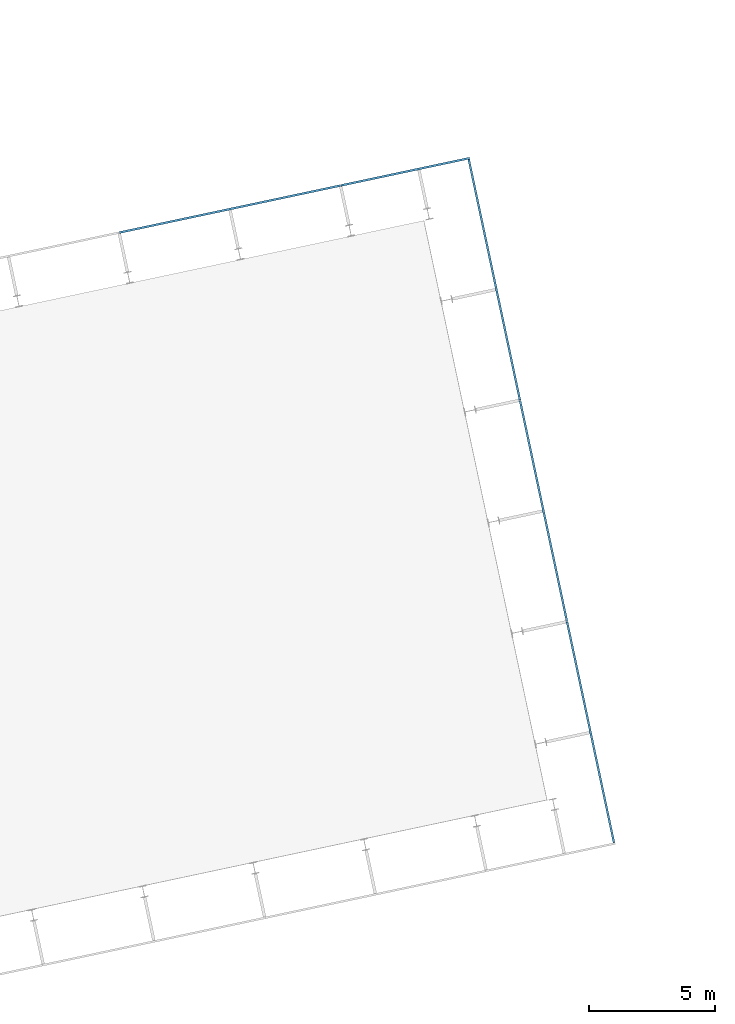
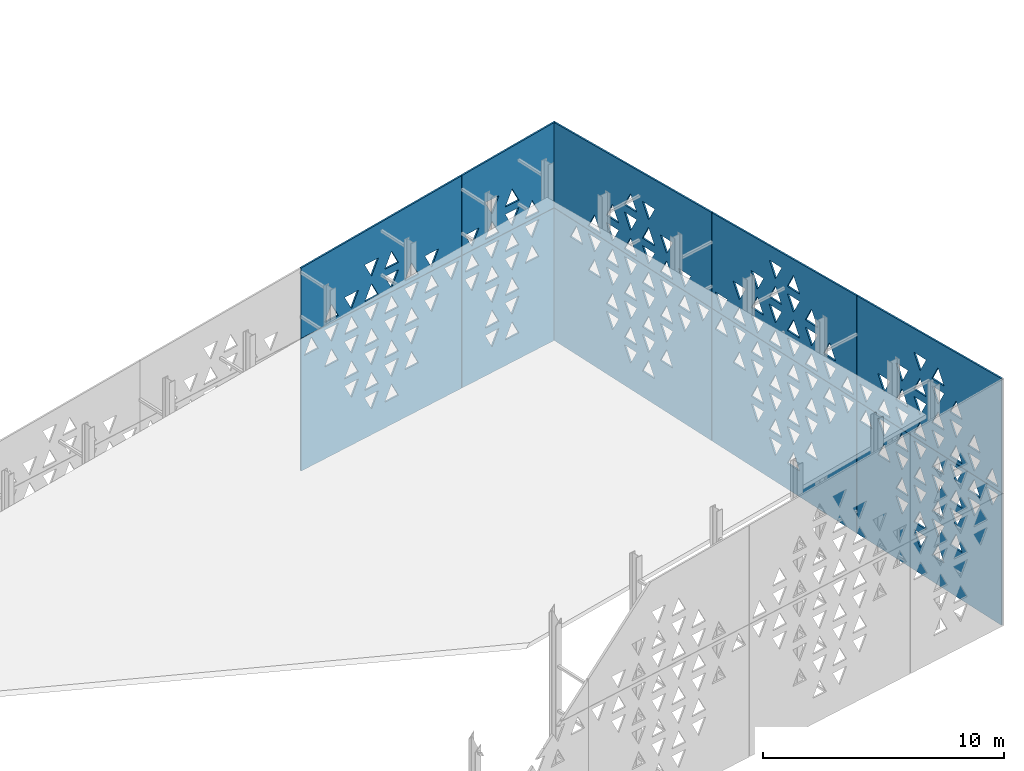
# One storey, part 28 of 41: 10 plates.
"""IFC4 building model written with IfcOpenShell, lengths in metres."""

from ifc_helpers import new_model, si_unit, direction, frame, origin, place, context, subcontext, project, spatial, polyline, outline, extrude, material, layer, layer_set, type_object, element, save


model = new_model("IFC4")

# Units and contexts
model_context = context("Model", 3, precision=1e-05, world=origin(), true_north=direction((0.0, 1.0)))
body_context = subcontext(model_context, "Body", "Model", "MODEL_VIEW")
ifc_project = project(units=[si_unit("LENGTHUNIT", "METRE"), si_unit("AREAUNIT", "SQUARE_METRE"), si_unit("VOLUMEUNIT", "CUBIC_METRE"), si_unit("PLANEANGLEUNIT", "RADIAN"), si_unit("MASSUNIT", "GRAM", prefix="KILO")], contexts=[model_context])

# Site, building, storey
site_placement = place(None, origin())
site = spatial("IfcSite", under=ifc_project, at=site_placement, CompositionType="ELEMENT")
building_placement = place(site_placement, origin())
building = spatial("IfcBuilding", under=site, at=building_placement, Name="Okhra Congress Centre", CompositionType="ELEMENT")
storey_placement = place(building_placement, frame((0.0, 0.0, 21.60009765625)))
storey = spatial("IfcBuildingStorey", under=building, at=storey_placement, Name="ROOF", CompositionType="ELEMENT", Elevation=21.60009765625)

# Plates
ifc_material = material(Name="Fired clay terracotta rainscreen panel, deep oxide-red glaze, non-combustible", Category="masonry")
ifc_layer_1 = layer(ifc_material, 0.080078125)
ifc_layer_set_1 = layer_set([ifc_layer_1], Name="Terracotta screen panel 5230 sloped top")
plate_type_1 = type_object("IfcPlateType", Name="Terracotta screen panel 5230 sloped top", PredefinedType="SHEET", material=ifc_layer_set_1)
plate_1_placement = place(storey_placement, frame((214.825439453125, 85.905517578125, 6.949951171875), z_axis=(0.0, 0.0, 1.0), x_axis=(-0.978146748157, -0.207915701837, 0.0)))
element("IfcPlate", 1, at=plate_1_placement, inside=storey, type_object=plate_type_1, Name="Screen panel N1 Parapet", PredefinedType="SHEET", context=body_context, shape_type="SweptSolid", body=[
    extrude(outline(polyline([(0.0, 0.0), (5.22998046875, 0.0), (5.22998046875, 4.044189453125), (0.0, 4.323974609375), (0.0, 0.0)]), holes=[polyline([(0.926513671875, 0.183837890625), (1.693603515625, 0.183837890625), (1.31005859375, 0.93603515625), (0.926513671875, 0.183837890625)]), polyline([(2.04638671875, 0.93603515625), (2.429931640625, 0.183837890625), (2.8134765625, 0.93603515625), (2.04638671875, 0.93603515625)]), polyline([(3.16650390625, 0.183837890625), (3.93359375, 0.183837890625), (3.550048828125, 0.93603515625), (3.16650390625, 0.183837890625)]), polyline([(4.286376953125, 0.93603515625), (4.669921875, 0.183837890625), (5.0537109375, 0.93603515625), (4.286376953125, 0.93603515625)]), polyline([(2.04638671875, 1.303955078125), (2.8134765625, 1.303955078125), (2.429931640625, 2.05615234375), (2.04638671875, 1.303955078125)]), polyline([(3.16650390625, 2.05615234375), (3.550048828125, 1.303955078125), (3.93359375, 2.05615234375), (3.16650390625, 2.05615234375)])]), frame((0.0, 0.0400390625, 0.0), z_axis=(0.0, -1.0, 0.0), x_axis=(1.0, 0.0, 0.0)), (0.0, 0.0, 1.0), 0.080078125),
])
ifc_layer_2 = layer(ifc_material, 0.080078125)
ifc_layer_set_2 = layer_set([ifc_layer_2], Name="Terracotta screen panel 5230x6720")
plate_type_2 = type_object("IfcPlateType", Name="Terracotta screen panel 5230x6720", PredefinedType="SHEET", material=ifc_layer_set_2)
plate_2_placement = place(storey_placement, frame((214.825439453125, 85.905517578125, 0.2099609375), z_axis=(0.0, 0.0, 1.0), x_axis=(-0.978146748157, -0.207915701837, 0.0)))
element("IfcPlate", 2, at=plate_2_placement, inside=storey, type_object=plate_type_2, Name="Screen panel N1 Tier 3", PredefinedType="SHEET", context=body_context, shape_type="SweptSolid", body=[
    extrude(outline(polyline([(0.0, 0.0), (5.22998046875, 0.0), (5.22998046875, 6.719970703125), (0.0, 6.719970703125), (0.0, 0.0)]), holes=[polyline([(2.04638671875, 1.303955078125), (2.8134765625, 1.303955078125), (2.429931640625, 2.05615234375), (2.04638671875, 1.303955078125)]), polyline([(3.16650390625, 2.05615234375), (3.550048828125, 1.303955078125), (3.93359375, 2.05615234375), (3.16650390625, 2.05615234375)]), polyline([(2.04638671875, 3.176025390625), (2.429931640625, 2.423828125), (2.8134765625, 3.176025390625), (2.04638671875, 3.176025390625)]), polyline([(3.16650390625, 2.423828125), (3.93359375, 2.423828125), (3.550048828125, 3.176025390625), (3.16650390625, 2.423828125)]), polyline([(2.04638671875, 3.5439453125), (2.8134765625, 3.5439453125), (2.429931640625, 4.296142578125), (2.04638671875, 3.5439453125)]), polyline([(3.16650390625, 4.296142578125), (3.550048828125, 3.5439453125), (3.93359375, 4.296142578125), (3.16650390625, 4.296142578125)]), polyline([(0.926513671875, 4.663818359375), (1.693603515625, 4.663818359375), (1.31005859375, 5.416015625), (0.926513671875, 4.663818359375)]), polyline([(2.04638671875, 5.416015625), (2.429931640625, 4.663818359375), (2.8134765625, 5.416015625), (2.04638671875, 5.416015625)]), polyline([(3.16650390625, 4.663818359375), (3.93359375, 4.663818359375), (3.550048828125, 5.416015625), (3.16650390625, 4.663818359375)]), polyline([(4.286376953125, 5.416015625), (4.669921875, 4.663818359375), (5.0537109375, 5.416015625), (4.286376953125, 5.416015625)]), polyline([(0.926513671875, 6.5361328125), (1.31005859375, 5.783935546875), (1.693603515625, 6.5361328125), (0.926513671875, 6.5361328125)]), polyline([(2.04638671875, 5.783935546875), (2.8134765625, 5.783935546875), (2.429931640625, 6.5361328125), (2.04638671875, 5.783935546875)]), polyline([(3.16650390625, 6.5361328125), (3.550048828125, 5.783935546875), (3.93359375, 6.5361328125), (3.16650390625, 6.5361328125)]), polyline([(4.286376953125, 5.783935546875), (5.0537109375, 5.783935546875), (4.669921875, 6.5361328125), (4.286376953125, 5.783935546875)])]), frame((0.0, 0.0400390625, 0.0), z_axis=(0.0, -1.0, 0.0), x_axis=(1.0, 0.0, 0.0)), (0.0, 0.0, 1.0), 0.080078125),
])
ifc_layer_3 = layer(ifc_material, 0.080078125)
ifc_layer_set_3 = layer_set([ifc_layer_3], Name="Terracotta screen panel 8970 sloped top")
plate_type_3 = type_object("IfcPlateType", Name="Terracotta screen panel 8970 sloped top", PredefinedType="SHEET", material=ifc_layer_set_3)
plate_3_placement = place(storey_placement, frame((220.568359375, 58.69482421875, 6.949951171875), z_axis=(0.0, 0.0, 1.0), x_axis=(-0.207915396115, 0.978146813141, 0.0)))
element("IfcPlate", 3, at=plate_3_placement, inside=storey, type_object=plate_type_3, Name="Screen panel E1 Parapet", PredefinedType="SHEET", context=body_context, shape_type="SweptSolid", body=[
    extrude(outline(polyline([(0.0, 0.0), (8.969970703125, 0.0), (8.969970703125, 5.30908203125), (0.0, 5.779296875), (0.0, 0.0)]), holes=[polyline([(0.1865234375, 0.183837890625), (0.95361328125, 0.183837890625), (0.570068359375, 0.93603515625), (0.1865234375, 0.183837890625)]), polyline([(1.306396484375, 0.93603515625), (1.68994140625, 0.183837890625), (2.073486328125, 0.93603515625), (1.306396484375, 0.93603515625)]), polyline([(2.426513671875, 0.183837890625), (3.193603515625, 0.183837890625), (2.81005859375, 0.93603515625), (2.426513671875, 0.183837890625)]), polyline([(3.54638671875, 0.93603515625), (3.929931640625, 0.183837890625), (4.3134765625, 0.93603515625), (3.54638671875, 0.93603515625)]), polyline([(4.66650390625, 0.183837890625), (5.43359375, 0.183837890625), (5.050048828125, 0.93603515625), (4.66650390625, 0.183837890625)]), polyline([(5.786376953125, 0.93603515625), (6.169921875, 0.183837890625), (6.5537109375, 0.93603515625), (5.786376953125, 0.93603515625)]), polyline([(6.906494140625, 0.183837890625), (7.673583984375, 0.183837890625), (7.2900390625, 0.93603515625), (6.906494140625, 0.183837890625)]), polyline([(8.0263671875, 0.93603515625), (8.409912109375, 0.183837890625), (8.793701171875, 0.93603515625), (8.0263671875, 0.93603515625)]), polyline([(1.306396484375, 1.303955078125), (2.073486328125, 1.303955078125), (1.68994140625, 2.05615234375), (1.306396484375, 1.303955078125)]), polyline([(2.426513671875, 2.05615234375), (2.81005859375, 1.303955078125), (3.193603515625, 2.05615234375), (2.426513671875, 2.05615234375)]), polyline([(3.54638671875, 1.303955078125), (4.3134765625, 1.303955078125), (3.929931640625, 2.05615234375), (3.54638671875, 1.303955078125)]), polyline([(4.66650390625, 2.05615234375), (5.050048828125, 1.303955078125), (5.43359375, 2.05615234375), (4.66650390625, 2.05615234375)]), polyline([(5.786376953125, 1.303955078125), (6.5537109375, 1.303955078125), (6.169921875, 2.05615234375), (5.786376953125, 1.303955078125)]), polyline([(6.906494140625, 2.05615234375), (7.2900390625, 1.303955078125), (7.673583984375, 2.05615234375), (6.906494140625, 2.05615234375)]), polyline([(2.426513671875, 2.423828125), (3.193603515625, 2.423828125), (2.81005859375, 3.176025390625), (2.426513671875, 2.423828125)]), polyline([(3.54638671875, 3.176025390625), (3.929931640625, 2.423828125), (4.3134765625, 3.176025390625), (3.54638671875, 3.176025390625)]), polyline([(4.66650390625, 2.423828125), (5.43359375, 2.423828125), (5.050048828125, 3.176025390625), (4.66650390625, 2.423828125)]), polyline([(5.786376953125, 3.176025390625), (6.169921875, 2.423828125), (6.5537109375, 3.176025390625), (5.786376953125, 3.176025390625)]), polyline([(3.54638671875, 3.5439453125), (4.3134765625, 3.5439453125), (3.929931640625, 4.296142578125), (3.54638671875, 3.5439453125)]), polyline([(4.66650390625, 4.296142578125), (5.050048828125, 3.5439453125), (5.43359375, 4.296142578125), (4.66650390625, 4.296142578125)])]), frame((0.0, 0.0400390625, 0.0), z_axis=(0.0, -1.0, 0.0), x_axis=(1.0, 0.0, 0.0)), (0.0, 0.0, 1.0), 0.080078125),
])
ifc_layer_4 = layer(ifc_material, 0.080078125)
ifc_layer_set_4 = layer_set([ifc_layer_4], Name="Terracotta screen panel 8970x6720")
plate_type_4 = type_object("IfcPlateType", Name="Terracotta screen panel 8970x6720", PredefinedType="SHEET", material=ifc_layer_set_4)
plate_4_placement = place(storey_placement, frame((220.568359375, 58.69482421875, 0.2099609375), z_axis=(0.0, 0.0, 1.0), x_axis=(-0.207915396115, 0.978146813141, 0.0)))
element("IfcPlate", 4, at=plate_4_placement, inside=storey, type_object=plate_type_4, Name="Screen panel E1 Tier 3", PredefinedType="SHEET", context=body_context, shape_type="SweptSolid", body=[
    extrude(outline(polyline([(0.0, 0.0), (8.969970703125, 0.0), (8.969970703125, 6.719970703125), (0.0, 6.719970703125), (0.0, 0.0)]), holes=[polyline([(3.54638671875, 1.303955078125), (4.3134765625, 1.303955078125), (3.929931640625, 2.05615234375), (3.54638671875, 1.303955078125)]), polyline([(4.66650390625, 2.05615234375), (5.050048828125, 1.303955078125), (5.43359375, 2.05615234375), (4.66650390625, 2.05615234375)]), polyline([(2.426513671875, 2.423828125), (3.193603515625, 2.423828125), (2.81005859375, 3.176025390625), (2.426513671875, 2.423828125)]), polyline([(3.54638671875, 3.176025390625), (3.929931640625, 2.423828125), (4.3134765625, 3.176025390625), (3.54638671875, 3.176025390625)]), polyline([(4.66650390625, 2.423828125), (5.43359375, 2.423828125), (5.050048828125, 3.176025390625), (4.66650390625, 2.423828125)]), polyline([(5.786376953125, 3.176025390625), (6.169921875, 2.423828125), (6.5537109375, 3.176025390625), (5.786376953125, 3.176025390625)]), polyline([(2.426513671875, 4.296142578125), (2.81005859375, 3.5439453125), (3.193603515625, 4.296142578125), (2.426513671875, 4.296142578125)]), polyline([(3.54638671875, 3.5439453125), (4.3134765625, 3.5439453125), (3.929931640625, 4.296142578125), (3.54638671875, 3.5439453125)]), polyline([(4.66650390625, 4.296142578125), (5.050048828125, 3.5439453125), (5.43359375, 4.296142578125), (4.66650390625, 4.296142578125)]), polyline([(5.786376953125, 3.5439453125), (6.5537109375, 3.5439453125), (6.169921875, 4.296142578125), (5.786376953125, 3.5439453125)]), polyline([(1.306396484375, 5.416015625), (1.68994140625, 4.663818359375), (2.073486328125, 5.416015625), (1.306396484375, 5.416015625)]), polyline([(2.426513671875, 4.663818359375), (3.193603515625, 4.663818359375), (2.81005859375, 5.416015625), (2.426513671875, 4.663818359375)]), polyline([(3.54638671875, 5.416015625), (3.929931640625, 4.663818359375), (4.3134765625, 5.416015625), (3.54638671875, 5.416015625)]), polyline([(4.66650390625, 4.663818359375), (5.43359375, 4.663818359375), (5.050048828125, 5.416015625), (4.66650390625, 4.663818359375)]), polyline([(5.786376953125, 5.416015625), (6.169921875, 4.663818359375), (6.5537109375, 5.416015625), (5.786376953125, 5.416015625)]), polyline([(6.906494140625, 4.663818359375), (7.673583984375, 4.663818359375), (7.2900390625, 5.416015625), (6.906494140625, 4.663818359375)]), polyline([(0.1865234375, 6.5361328125), (0.570068359375, 5.783935546875), (0.95361328125, 6.5361328125), (0.1865234375, 6.5361328125)]), polyline([(1.306396484375, 5.783935546875), (2.073486328125, 5.783935546875), (1.68994140625, 6.5361328125), (1.306396484375, 5.783935546875)]), polyline([(2.426513671875, 6.5361328125), (2.81005859375, 5.783935546875), (3.193603515625, 6.5361328125), (2.426513671875, 6.5361328125)]), polyline([(3.54638671875, 5.783935546875), (4.3134765625, 5.783935546875), (3.929931640625, 6.5361328125), (3.54638671875, 5.783935546875)]), polyline([(4.66650390625, 6.5361328125), (5.050048828125, 5.783935546875), (5.43359375, 6.5361328125), (4.66650390625, 6.5361328125)]), polyline([(5.786376953125, 5.783935546875), (6.5537109375, 5.783935546875), (6.169921875, 6.5361328125), (5.786376953125, 5.783935546875)]), polyline([(6.906494140625, 6.5361328125), (7.2900390625, 5.783935546875), (7.673583984375, 6.5361328125), (6.906494140625, 6.5361328125)]), polyline([(8.0263671875, 5.783935546875), (8.793701171875, 5.783935546875), (8.409912109375, 6.5361328125), (8.0263671875, 5.783935546875)])]), frame((0.0, 0.0400390625, 0.0), z_axis=(0.0, -1.0, 0.0), x_axis=(1.0, 0.0, 0.0)), (0.0, 0.0, 1.0), 0.080078125),
])
ifc_layer_5 = layer(ifc_material, 0.080078125)
ifc_layer_set_5 = layer_set([ifc_layer_5], Name="Terracotta screen panel 8980 sloped top")
plate_type_5 = type_object("IfcPlateType", Name="Terracotta screen panel 8980 sloped top", PredefinedType="SHEET", material=ifc_layer_set_5)
plate_5_placement = place(storey_placement, frame((218.69921875, 67.48828125, 6.949951171875), z_axis=(0.0, 0.0, 1.0), x_axis=(-0.207922809819, 0.978145237251, 0.0)))
element("IfcPlate", 5, at=plate_5_placement, inside=storey, type_object=plate_type_5, Name="Screen panel E2 Parapet", PredefinedType="SHEET", context=body_context, shape_type="SweptSolid", body=[
    extrude(outline(polyline([(0.0, 0.0), (8.97998046875, 0.0), (8.97998046875, 4.83740234375), (0.0, 5.30810546875), (0.0, 0.0)]), holes=[polyline([(0.176513671875, 0.183837890625), (0.943603515625, 0.183837890625), (0.56005859375, 0.93603515625), (0.176513671875, 0.183837890625)]), polyline([(1.29638671875, 0.93603515625), (1.679931640625, 0.183837890625), (2.0634765625, 0.93603515625), (1.29638671875, 0.93603515625)]), polyline([(2.41650390625, 0.183837890625), (3.18359375, 0.183837890625), (2.800048828125, 0.93603515625), (2.41650390625, 0.183837890625)]), polyline([(3.536376953125, 0.93603515625), (3.919921875, 0.183837890625), (4.3037109375, 0.93603515625), (3.536376953125, 0.93603515625)]), polyline([(4.656494140625, 0.183837890625), (5.423583984375, 0.183837890625), (5.0400390625, 0.93603515625), (4.656494140625, 0.183837890625)]), polyline([(5.7763671875, 0.93603515625), (6.159912109375, 0.183837890625), (6.543701171875, 0.93603515625), (5.7763671875, 0.93603515625)]), polyline([(6.896484375, 0.183837890625), (7.66357421875, 0.183837890625), (7.280029296875, 0.93603515625), (6.896484375, 0.183837890625)]), polyline([(8.016357421875, 0.93603515625), (8.39990234375, 0.183837890625), (8.78369140625, 0.93603515625), (8.016357421875, 0.93603515625)]), polyline([(1.29638671875, 1.303955078125), (2.0634765625, 1.303955078125), (1.679931640625, 2.05615234375), (1.29638671875, 1.303955078125)]), polyline([(2.41650390625, 2.05615234375), (2.800048828125, 1.303955078125), (3.18359375, 2.05615234375), (2.41650390625, 2.05615234375)]), polyline([(3.536376953125, 1.303955078125), (4.3037109375, 1.303955078125), (3.919921875, 2.05615234375), (3.536376953125, 1.303955078125)]), polyline([(4.656494140625, 2.05615234375), (5.0400390625, 1.303955078125), (5.423583984375, 2.05615234375), (4.656494140625, 2.05615234375)]), polyline([(5.7763671875, 1.303955078125), (6.543701171875, 1.303955078125), (6.159912109375, 2.05615234375), (5.7763671875, 1.303955078125)]), polyline([(6.896484375, 2.05615234375), (7.280029296875, 1.303955078125), (7.66357421875, 2.05615234375), (6.896484375, 2.05615234375)]), polyline([(2.41650390625, 2.423828125), (3.18359375, 2.423828125), (2.800048828125, 3.176025390625), (2.41650390625, 2.423828125)]), polyline([(3.536376953125, 3.176025390625), (3.919921875, 2.423828125), (4.3037109375, 3.176025390625), (3.536376953125, 3.176025390625)]), polyline([(4.656494140625, 2.423828125), (5.423583984375, 2.423828125), (5.0400390625, 3.176025390625), (4.656494140625, 2.423828125)]), polyline([(5.7763671875, 3.176025390625), (6.159912109375, 2.423828125), (6.543701171875, 3.176025390625), (5.7763671875, 3.176025390625)]), polyline([(3.536376953125, 3.5439453125), (4.3037109375, 3.5439453125), (3.919921875, 4.296142578125), (3.536376953125, 3.5439453125)]), polyline([(4.656494140625, 4.296142578125), (5.0400390625, 3.5439453125), (5.423583984375, 4.296142578125), (4.656494140625, 4.296142578125)])]), frame((0.0, 0.0400390625, 0.0), z_axis=(0.0, -1.0, 0.0), x_axis=(1.0, 0.0, 0.0)), (0.0, 0.0, 1.0), 0.080078125),
])
plate_6_placement = place(storey_placement, frame((209.690185546875, 84.81396484375, 6.949951171875), z_axis=(0.0, 0.0, 1.0), x_axis=(-0.978144061878, -0.207928339131, 0.0)))
element("IfcPlate", 6, at=plate_6_placement, inside=storey, type_object=plate_type_5, Name="Screen panel N2 Parapet", PredefinedType="SHEET", context=body_context, shape_type="SweptSolid", body=[
    extrude(outline(polyline([(0.0, 0.0), (8.97998046875, 0.0), (8.97998046875, 3.5625), (0.0, 4.04296875), (0.0, 0.0)]), holes=[polyline([(1.29638671875, 0.93603515625), (1.679931640625, 0.183837890625), (2.0634765625, 0.93603515625), (1.29638671875, 0.93603515625)]), polyline([(2.41650390625, 0.183837890625), (3.18359375, 0.183837890625), (2.800048828125, 0.93603515625), (2.41650390625, 0.183837890625)]), polyline([(3.536376953125, 0.93603515625), (3.919921875, 0.183837890625), (4.3037109375, 0.93603515625), (3.536376953125, 0.93603515625)]), polyline([(4.656494140625, 0.183837890625), (5.423583984375, 0.183837890625), (5.0400390625, 0.93603515625), (4.656494140625, 0.183837890625)]), polyline([(5.7763671875, 0.93603515625), (6.159912109375, 0.183837890625), (6.543701171875, 0.93603515625), (5.7763671875, 0.93603515625)]), polyline([(6.896484375, 0.183837890625), (7.66357421875, 0.183837890625), (7.280029296875, 0.93603515625), (6.896484375, 0.183837890625)]), polyline([(3.536376953125, 1.303955078125), (4.3037109375, 1.303955078125), (3.919921875, 2.05615234375), (3.536376953125, 1.303955078125)]), polyline([(4.656494140625, 2.05615234375), (5.0400390625, 1.303955078125), (5.423583984375, 2.05615234375), (4.656494140625, 2.05615234375)])]), frame((0.0, 0.0400390625, 0.0), z_axis=(0.0, -1.0, 0.0), x_axis=(1.0, 0.0, 0.0)), (0.0, 0.0, 1.0), 0.080078125),
])
ifc_layer_6 = layer(ifc_material, 0.080078125)
ifc_layer_set_6 = layer_set([ifc_layer_6], Name="Terracotta screen panel 8980x6720")
plate_type_6 = type_object("IfcPlateType", Name="Terracotta screen panel 8980x6720", PredefinedType="SHEET", material=ifc_layer_set_6)
plate_7_placement = place(storey_placement, frame((218.69921875, 67.48828125, 0.2099609375), z_axis=(0.0, 0.0, 1.0), x_axis=(-0.207922809819, 0.978145237251, 0.0)))
element("IfcPlate", 7, at=plate_7_placement, inside=storey, type_object=plate_type_6, Name="Screen panel E2 Tier 3", PredefinedType="SHEET", context=body_context, shape_type="SweptSolid", body=[
    extrude(outline(polyline([(0.0, 0.0), (8.980224609375, 0.0), (8.980224609375, 6.719970703125), (0.0, 6.719970703125), (0.0, 0.0)]), holes=[polyline([(3.536376953125, 1.303955078125), (4.3037109375, 1.303955078125), (3.919921875, 2.05615234375), (3.536376953125, 1.303955078125)]), polyline([(4.656494140625, 2.05615234375), (5.0400390625, 1.303955078125), (5.423583984375, 2.05615234375), (4.656494140625, 2.05615234375)]), polyline([(2.41650390625, 2.423828125), (3.18359375, 2.423828125), (2.800048828125, 3.176025390625), (2.41650390625, 2.423828125)]), polyline([(3.536376953125, 3.176025390625), (3.919921875, 2.423828125), (4.3037109375, 3.176025390625), (3.536376953125, 3.176025390625)]), polyline([(4.656494140625, 2.423828125), (5.423583984375, 2.423828125), (5.0400390625, 3.176025390625), (4.656494140625, 2.423828125)]), polyline([(5.7763671875, 3.176025390625), (6.159912109375, 2.423828125), (6.543701171875, 3.176025390625), (5.7763671875, 3.176025390625)]), polyline([(2.41650390625, 4.296142578125), (2.800048828125, 3.5439453125), (3.18359375, 4.296142578125), (2.41650390625, 4.296142578125)]), polyline([(3.536376953125, 3.5439453125), (4.3037109375, 3.5439453125), (3.919921875, 4.296142578125), (3.536376953125, 3.5439453125)]), polyline([(4.656494140625, 4.296142578125), (5.0400390625, 3.5439453125), (5.423583984375, 4.296142578125), (4.656494140625, 4.296142578125)]), polyline([(5.7763671875, 3.5439453125), (6.543701171875, 3.5439453125), (6.159912109375, 4.296142578125), (5.7763671875, 3.5439453125)]), polyline([(1.29638671875, 5.416015625), (1.679931640625, 4.663818359375), (2.0634765625, 5.416015625), (1.29638671875, 5.416015625)]), polyline([(2.41650390625, 4.663818359375), (3.18359375, 4.663818359375), (2.800048828125, 5.416015625), (2.41650390625, 4.663818359375)]), polyline([(3.536376953125, 5.416015625), (3.919921875, 4.663818359375), (4.3037109375, 5.416015625), (3.536376953125, 5.416015625)]), polyline([(4.656494140625, 4.663818359375), (5.423583984375, 4.663818359375), (5.0400390625, 5.416015625), (4.656494140625, 4.663818359375)]), polyline([(5.7763671875, 5.416015625), (6.159912109375, 4.663818359375), (6.543701171875, 5.416015625), (5.7763671875, 5.416015625)]), polyline([(6.896484375, 4.663818359375), (7.66357421875, 4.663818359375), (7.280029296875, 5.416015625), (6.896484375, 4.663818359375)]), polyline([(0.176513671875, 6.5361328125), (0.56005859375, 5.783935546875), (0.943603515625, 6.5361328125), (0.176513671875, 6.5361328125)]), polyline([(1.29638671875, 5.783935546875), (2.0634765625, 5.783935546875), (1.679931640625, 6.5361328125), (1.29638671875, 5.783935546875)]), polyline([(2.41650390625, 6.5361328125), (2.800048828125, 5.783935546875), (3.18359375, 6.5361328125), (2.41650390625, 6.5361328125)]), polyline([(3.536376953125, 5.783935546875), (4.3037109375, 5.783935546875), (3.919921875, 6.5361328125), (3.536376953125, 5.783935546875)]), polyline([(4.656494140625, 6.5361328125), (5.0400390625, 5.783935546875), (5.423583984375, 6.5361328125), (4.656494140625, 6.5361328125)]), polyline([(5.7763671875, 5.783935546875), (6.543701171875, 5.783935546875), (6.159912109375, 6.5361328125), (5.7763671875, 5.783935546875)]), polyline([(6.896484375, 6.5361328125), (7.280029296875, 5.783935546875), (7.66357421875, 6.5361328125), (6.896484375, 6.5361328125)]), polyline([(8.016357421875, 5.783935546875), (8.78369140625, 5.783935546875), (8.39990234375, 6.5361328125), (8.016357421875, 5.783935546875)])]), frame((0.0, 0.0400390625, 0.0), z_axis=(0.0, -1.0, 0.0), x_axis=(1.0, 0.0, 0.0)), (0.0, 0.0, 1.0), 0.080078125),
])
plate_8_placement = place(storey_placement, frame((209.690185546875, 84.81396484375, 0.2099609375), z_axis=(0.0, 0.0, 1.0), x_axis=(-0.978144061878, -0.207928339131, 0.0)))
element("IfcPlate", 8, at=plate_8_placement, inside=storey, type_object=plate_type_6, Name="Screen panel N2 Tier 3", PredefinedType="SHEET", context=body_context, shape_type="SweptSolid", body=[
    extrude(outline(polyline([(0.0, 0.0), (8.97998046875, 0.0), (8.97998046875, 6.719970703125), (0.0, 6.719970703125), (0.0, 0.0)]), holes=[polyline([(3.536376953125, 1.303955078125), (4.3037109375, 1.303955078125), (3.919921875, 2.05615234375), (3.536376953125, 1.303955078125)]), polyline([(4.656494140625, 2.05615234375), (5.0400390625, 1.303955078125), (5.423583984375, 2.05615234375), (4.656494140625, 2.05615234375)]), polyline([(2.41650390625, 2.423828125), (3.18359375, 2.423828125), (2.800048828125, 3.176025390625), (2.41650390625, 2.423828125)]), polyline([(3.536376953125, 3.176025390625), (3.919921875, 2.423828125), (4.3037109375, 3.176025390625), (3.536376953125, 3.176025390625)]), polyline([(4.656494140625, 2.423828125), (5.423583984375, 2.423828125), (5.0400390625, 3.176025390625), (4.656494140625, 2.423828125)]), polyline([(5.7763671875, 3.176025390625), (6.159912109375, 2.423828125), (6.543701171875, 3.176025390625), (5.7763671875, 3.176025390625)]), polyline([(2.41650390625, 4.296142578125), (2.800048828125, 3.5439453125), (3.18359375, 4.296142578125), (2.41650390625, 4.296142578125)]), polyline([(3.536376953125, 3.5439453125), (4.3037109375, 3.5439453125), (3.919921875, 4.296142578125), (3.536376953125, 3.5439453125)]), polyline([(4.656494140625, 4.296142578125), (5.0400390625, 3.5439453125), (5.423583984375, 4.296142578125), (4.656494140625, 4.296142578125)]), polyline([(5.7763671875, 3.5439453125), (6.543701171875, 3.5439453125), (6.159912109375, 4.296142578125), (5.7763671875, 3.5439453125)]), polyline([(1.29638671875, 5.416015625), (1.679931640625, 4.663818359375), (2.0634765625, 5.416015625), (1.29638671875, 5.416015625)]), polyline([(2.41650390625, 4.663818359375), (3.18359375, 4.663818359375), (2.800048828125, 5.416015625), (2.41650390625, 4.663818359375)]), polyline([(3.536376953125, 5.416015625), (3.919921875, 4.663818359375), (4.3037109375, 5.416015625), (3.536376953125, 5.416015625)]), polyline([(4.656494140625, 4.663818359375), (5.423583984375, 4.663818359375), (5.0400390625, 5.416015625), (4.656494140625, 4.663818359375)]), polyline([(5.7763671875, 5.416015625), (6.159912109375, 4.663818359375), (6.543701171875, 5.416015625), (5.7763671875, 5.416015625)]), polyline([(6.896484375, 4.663818359375), (7.66357421875, 4.663818359375), (7.280029296875, 5.416015625), (6.896484375, 4.663818359375)]), polyline([(0.176513671875, 6.5361328125), (0.56005859375, 5.783935546875), (0.943603515625, 6.5361328125), (0.176513671875, 6.5361328125)]), polyline([(1.29638671875, 5.783935546875), (2.0634765625, 5.783935546875), (1.679931640625, 6.5361328125), (1.29638671875, 5.783935546875)]), polyline([(2.41650390625, 6.5361328125), (2.800048828125, 5.783935546875), (3.18359375, 6.5361328125), (2.41650390625, 6.5361328125)]), polyline([(3.536376953125, 5.783935546875), (4.3037109375, 5.783935546875), (3.919921875, 6.5361328125), (3.536376953125, 5.783935546875)]), polyline([(4.656494140625, 6.5361328125), (5.0400390625, 5.783935546875), (5.423583984375, 6.5361328125), (4.656494140625, 6.5361328125)]), polyline([(5.7763671875, 5.783935546875), (6.543701171875, 5.783935546875), (6.159912109375, 6.5361328125), (5.7763671875, 5.783935546875)]), polyline([(6.896484375, 6.5361328125), (7.280029296875, 5.783935546875), (7.66357421875, 6.5361328125), (6.896484375, 6.5361328125)]), polyline([(8.016357421875, 5.783935546875), (8.78369140625, 5.783935546875), (8.39990234375, 6.5361328125), (8.016357421875, 5.783935546875)])]), frame((0.0, 0.0400390625, 0.0), z_axis=(0.0, -1.0, 0.0), x_axis=(1.0, 0.0, 0.0)), (0.0, 0.0, 1.0), 0.080078125),
])
ifc_layer_7 = layer(ifc_material, 0.080078125)
ifc_layer_set_7 = layer_set([ifc_layer_7], Name="Terracotta screen panel 9780 sloped top")
plate_type_7 = type_object("IfcPlateType", Name="Terracotta screen panel 9780 sloped top", PredefinedType="SHEET", material=ifc_layer_set_7)
plate_9_placement = place(storey_placement, frame((216.827880859375, 76.291748046875, 6.949951171875), z_axis=(0.0, 0.0, 1.0), x_axis=(-0.207897270364, 0.978150665785, 0.0)))
element("IfcPlate", 9, at=plate_9_placement, inside=storey, type_object=plate_type_7, Name="Screen panel E3 Parapet", PredefinedType="SHEET", context=body_context, shape_type="SweptSolid", body=[
    extrude(outline(polyline([(0.0, 0.0), (9.780029296875, 0.0), (9.780029296875, 4.323974609375), (0.0, 4.83642578125), (0.0, 0.0)]), holes=[polyline([(1.29638671875, 0.93603515625), (1.679931640625, 0.183837890625), (2.0634765625, 0.93603515625), (1.29638671875, 0.93603515625)]), polyline([(2.41650390625, 0.183837890625), (3.18359375, 0.183837890625), (2.800048828125, 0.93603515625), (2.41650390625, 0.183837890625)]), polyline([(3.536376953125, 0.93603515625), (3.919921875, 0.183837890625), (4.3037109375, 0.93603515625), (3.536376953125, 0.93603515625)]), polyline([(4.656494140625, 0.183837890625), (5.423583984375, 0.183837890625), (5.0400390625, 0.93603515625), (4.656494140625, 0.183837890625)]), polyline([(5.7763671875, 0.93603515625), (6.159912109375, 0.183837890625), (6.543701171875, 0.93603515625), (5.7763671875, 0.93603515625)]), polyline([(6.896484375, 0.183837890625), (7.66357421875, 0.183837890625), (7.280029296875, 0.93603515625), (6.896484375, 0.183837890625)]), polyline([(2.41650390625, 2.05615234375), (2.800048828125, 1.303955078125), (3.18359375, 2.05615234375), (2.41650390625, 2.05615234375)]), polyline([(3.536376953125, 1.303955078125), (4.3037109375, 1.303955078125), (3.919921875, 2.05615234375), (3.536376953125, 1.303955078125)]), polyline([(4.656494140625, 2.05615234375), (5.0400390625, 1.303955078125), (5.423583984375, 2.05615234375), (4.656494140625, 2.05615234375)]), polyline([(5.7763671875, 1.303955078125), (6.543701171875, 1.303955078125), (6.159912109375, 2.05615234375), (5.7763671875, 1.303955078125)]), polyline([(3.536376953125, 3.176025390625), (3.919921875, 2.423828125), (4.3037109375, 3.176025390625), (3.536376953125, 3.176025390625)]), polyline([(4.656494140625, 2.423828125), (5.423583984375, 2.423828125), (5.0400390625, 3.176025390625), (4.656494140625, 2.423828125)])]), frame((0.0, 0.0400390625, 0.0), z_axis=(0.0, -1.0, 0.0), x_axis=(1.0, 0.0, 0.0)), (0.0, 0.0, 1.0), 0.080078125),
])
ifc_layer_8 = layer(ifc_material, 0.080078125)
ifc_layer_set_8 = layer_set([ifc_layer_8], Name="Terracotta screen panel 9780x6720")
plate_type_8 = type_object("IfcPlateType", Name="Terracotta screen panel 9780x6720", PredefinedType="SHEET", material=ifc_layer_set_8)
plate_10_placement = place(storey_placement, frame((216.827880859375, 76.291748046875, 0.2099609375), z_axis=(0.0, 0.0, 1.0), x_axis=(-0.207897270364, 0.978150665785, 0.0)))
element("IfcPlate", 10, at=plate_10_placement, inside=storey, type_object=plate_type_8, Name="Screen panel E3 Tier 3", PredefinedType="SHEET", context=body_context, shape_type="SweptSolid", body=[
    extrude(outline(polyline([(0.0, 0.0), (9.77978515625, 0.0), (9.77978515625, 6.719970703125), (0.0, 6.719970703125), (0.0, 0.0)]), holes=[polyline([(3.536376953125, 1.303955078125), (4.3037109375, 1.303955078125), (3.919921875, 2.05615234375), (3.536376953125, 1.303955078125)]), polyline([(4.656494140625, 2.05615234375), (5.0400390625, 1.303955078125), (5.423583984375, 2.05615234375), (4.656494140625, 2.05615234375)]), polyline([(2.41650390625, 2.423828125), (3.18359375, 2.423828125), (2.800048828125, 3.176025390625), (2.41650390625, 2.423828125)]), polyline([(3.536376953125, 3.176025390625), (3.919921875, 2.423828125), (4.3037109375, 3.176025390625), (3.536376953125, 3.176025390625)]), polyline([(4.656494140625, 2.423828125), (5.423583984375, 2.423828125), (5.0400390625, 3.176025390625), (4.656494140625, 2.423828125)]), polyline([(5.7763671875, 3.176025390625), (6.159912109375, 2.423828125), (6.543701171875, 3.176025390625), (5.7763671875, 3.176025390625)]), polyline([(2.41650390625, 4.296142578125), (2.800048828125, 3.5439453125), (3.18359375, 4.296142578125), (2.41650390625, 4.296142578125)]), polyline([(3.536376953125, 3.5439453125), (4.3037109375, 3.5439453125), (3.919921875, 4.296142578125), (3.536376953125, 3.5439453125)]), polyline([(4.656494140625, 4.296142578125), (5.0400390625, 3.5439453125), (5.423583984375, 4.296142578125), (4.656494140625, 4.296142578125)]), polyline([(5.7763671875, 3.5439453125), (6.543701171875, 3.5439453125), (6.159912109375, 4.296142578125), (5.7763671875, 3.5439453125)]), polyline([(1.29638671875, 5.416015625), (1.679931640625, 4.663818359375), (2.0634765625, 5.416015625), (1.29638671875, 5.416015625)]), polyline([(2.41650390625, 4.663818359375), (3.18359375, 4.663818359375), (2.800048828125, 5.416015625), (2.41650390625, 4.663818359375)]), polyline([(3.536376953125, 5.416015625), (3.919921875, 4.663818359375), (4.3037109375, 5.416015625), (3.536376953125, 5.416015625)]), polyline([(4.656494140625, 4.663818359375), (5.423583984375, 4.663818359375), (5.0400390625, 5.416015625), (4.656494140625, 4.663818359375)]), polyline([(5.7763671875, 5.416015625), (6.159912109375, 4.663818359375), (6.543701171875, 5.416015625), (5.7763671875, 5.416015625)]), polyline([(6.896484375, 4.663818359375), (7.66357421875, 4.663818359375), (7.280029296875, 5.416015625), (6.896484375, 4.663818359375)]), polyline([(0.176513671875, 6.5361328125), (0.56005859375, 5.783935546875), (0.943603515625, 6.5361328125), (0.176513671875, 6.5361328125)]), polyline([(1.29638671875, 5.783935546875), (2.0634765625, 5.783935546875), (1.679931640625, 6.5361328125), (1.29638671875, 5.783935546875)]), polyline([(2.41650390625, 6.5361328125), (2.800048828125, 5.783935546875), (3.18359375, 6.5361328125), (2.41650390625, 6.5361328125)]), polyline([(3.536376953125, 5.783935546875), (4.3037109375, 5.783935546875), (3.919921875, 6.5361328125), (3.536376953125, 5.783935546875)]), polyline([(4.656494140625, 6.5361328125), (5.0400390625, 5.783935546875), (5.423583984375, 6.5361328125), (4.656494140625, 6.5361328125)]), polyline([(5.7763671875, 5.783935546875), (6.543701171875, 5.783935546875), (6.159912109375, 6.5361328125), (5.7763671875, 5.783935546875)]), polyline([(6.896484375, 6.5361328125), (7.280029296875, 5.783935546875), (7.66357421875, 6.5361328125), (6.896484375, 6.5361328125)]), polyline([(8.016357421875, 5.783935546875), (8.78369140625, 5.783935546875), (8.39990234375, 6.5361328125), (8.016357421875, 5.783935546875)])]), frame((0.0, 0.0400390625, 0.0), z_axis=(0.0, -1.0, 0.0), x_axis=(1.0, 0.0, 0.0)), (0.0, 0.0, 1.0), 0.080078125),
])

save(model, "model.ifc")
